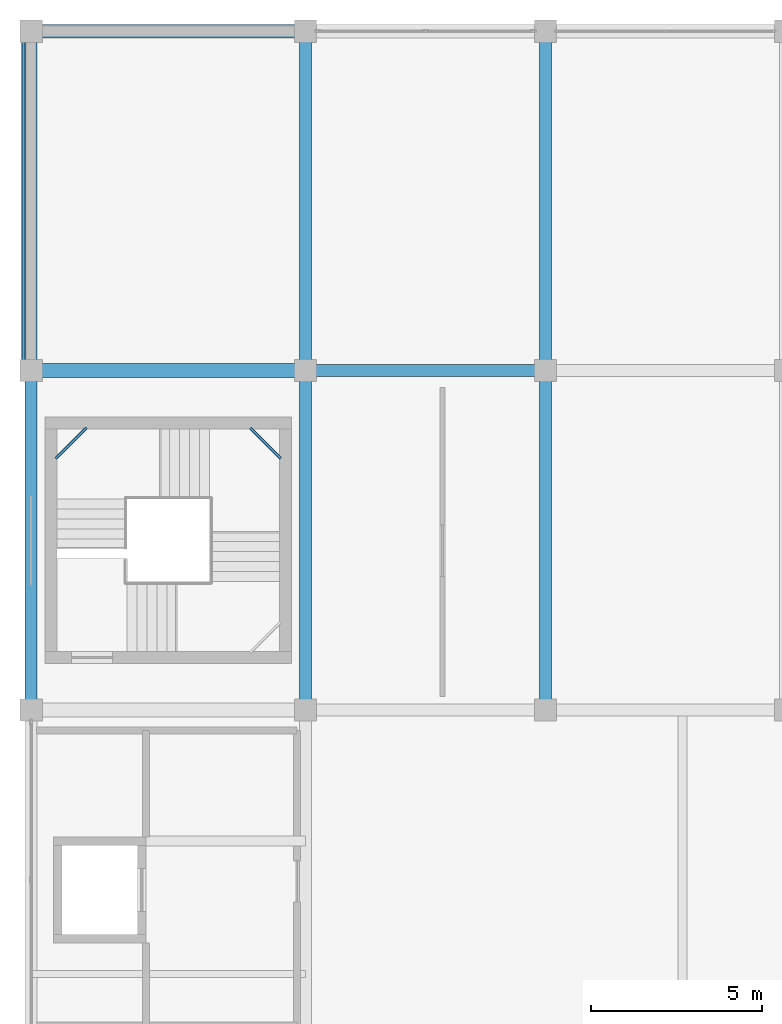
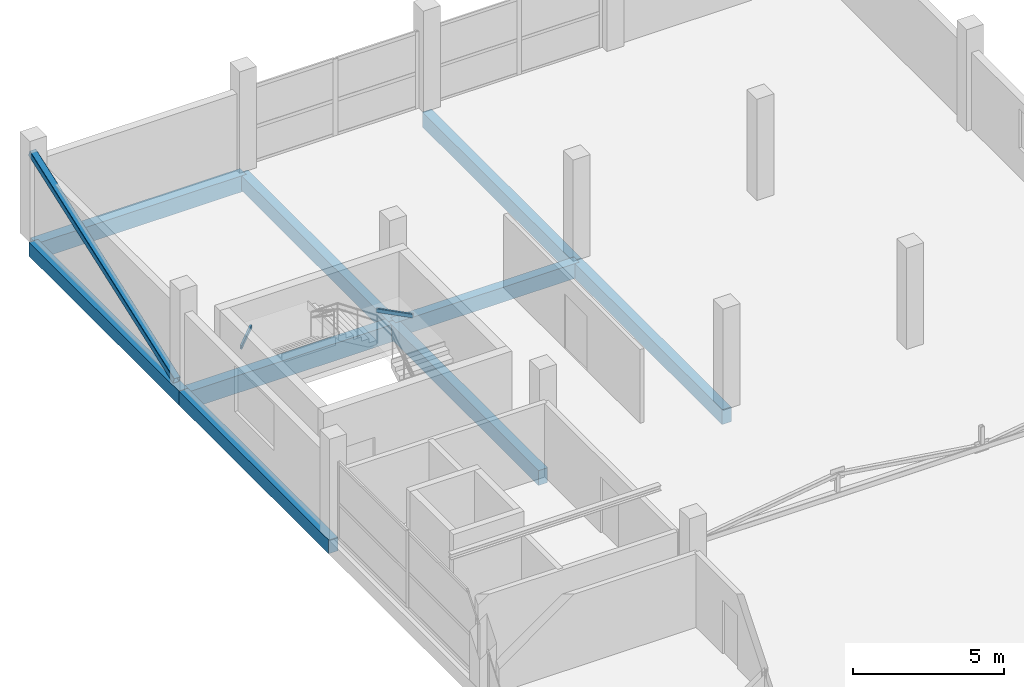
# One storey, part 43 of 66: 11 beams, 1 member.
"""IFC4 building model written with IfcOpenShell, lengths in metres."""

from ifc_helpers import new_model, si_unit, direction, frame, origin, origin_2d, place, context, subcontext, project, spatial, rectangle, hollow_rectangle, extrude, material, material_profile, profile_set, type_object, element, save


model = new_model("IFC4")

# Units and contexts
model_context = context("Model", 3, precision=1e-05, world=origin(), true_north=direction((0.0, 1.0)))
body_context = subcontext(model_context, "Body", "Model", "MODEL_VIEW")
ifc_project = project(units=[si_unit("LENGTHUNIT", "METRE"), si_unit("AREAUNIT", "SQUARE_METRE"), si_unit("VOLUMEUNIT", "CUBIC_METRE"), si_unit("PLANEANGLEUNIT", "RADIAN"), si_unit("MASSUNIT", "GRAM", prefix="KILO")], contexts=[model_context])

# Site, building, storey
site_placement = place(None, origin())
site = spatial("IfcSite", under=ifc_project, at=site_placement, CompositionType="ELEMENT")
building_placement = place(site_placement, origin())
building = spatial("IfcBuilding", under=site, at=building_placement, Name="Sillaruma Civic Art Gallery", CompositionType="ELEMENT")
storey_placement = place(building_placement, frame((0.0, 0.0, 62.219970703125)))
storey = spatial("IfcBuildingStorey", under=building, at=storey_placement, Name="L12", CompositionType="ELEMENT", Elevation=62.219970703125)

# Beams
ifc_material_1 = material(Name="Concrete H35 (35 MPa)", Category="concrete")
ifc_material_profile_1 = material_profile(ifc_material_1, rectangle(XDim=0.35009765625, YDim=0.60009765625, at=origin_2d()), Name="RCB350x600")
ifc_profile_set_1 = profile_set([ifc_material_profile_1], Name="Concrete H35 (35 MPa)")
beam_type_1 = type_object("IfcBeamType", Name="BM-BEAM-RCB350x600", PredefinedType="BEAM", material=ifc_profile_set_1)
beam_1_placement = place(storey_placement, frame((70.0, 89.10009765625, -0.530029296875), z_axis=(1.0, 0.0, 0.0), x_axis=(0.0, 1.0, 0.0)))
element("IfcBeam", 1, at=beam_1_placement, inside=storey, type_object=beam_type_1, Name="Beam BM-06 (L11:10:G-H)", PredefinedType="BEAM", context=body_context, shape_type="SweptSolid", body=[
    extrude(rectangle(XDim=0.35009765625, YDim=0.60009765625, at=origin_2d()), origin(), (0.0, 0.0, 1.0), 7.0),
])
beam_2_placement = place(storey_placement, frame((70.0, 79.199951171875, -0.530029296875), z_axis=(0.0, 1.0, 0.0), x_axis=(-1.0, 0.0, 0.0)))
element("IfcBeam", 2, at=beam_2_placement, inside=storey, type_object=beam_type_1, Name="Beam BM-06 (L11:G:9-10)", PredefinedType="BEAM", context=body_context, shape_type="SweptSolid", body=[
    extrude(rectangle(XDim=0.35009765625, YDim=0.60009765625, at=origin_2d()), origin(), (0.0, 0.0, 1.0), 9.900146484375),
])
beam_3_placement = place(storey_placement, frame((70.0, 89.10009765625, -0.530029296875), z_axis=(0.0, 1.0, 0.0), x_axis=(-1.0, 0.0, 0.0)))
element("IfcBeam", 3, at=beam_3_placement, inside=storey, type_object=beam_type_1, Name="Beam BM-06 (L11:G:10-11)", PredefinedType="BEAM", context=body_context, shape_type="SweptSolid", body=[
    extrude(rectangle(XDim=0.35009765625, YDim=0.60009765625, at=origin_2d()), origin(), (0.0, 0.0, 1.0), 9.89990234375),
])
beam_4_placement = place(storey_placement, frame((77.0, 79.199951171875, -0.530029296875), z_axis=(0.0, 1.0, 0.0), x_axis=(-1.0, 0.0, 0.0)))
element("IfcBeam", 4, at=beam_4_placement, inside=storey, type_object=beam_type_1, Name="Beam BM-06 (L11:H:9-10)", PredefinedType="BEAM", context=body_context, shape_type="SweptSolid", body=[
    extrude(rectangle(XDim=0.35009765625, YDim=0.60009765625, at=origin_2d()), origin(), (0.0, 0.0, 1.0), 9.900146484375),
])
beam_5_placement = place(storey_placement, frame((77.0, 89.10009765625, -0.530029296875), z_axis=(0.0, 1.0, 0.0), x_axis=(-1.0, 0.0, 0.0)))
element("IfcBeam", 5, at=beam_5_placement, inside=storey, type_object=beam_type_1, Name="Beam BM-06 (L11:H:10-11)", PredefinedType="BEAM", context=body_context, shape_type="SweptSolid", body=[
    extrude(rectangle(XDim=0.35009765625, YDim=0.60009765625, at=origin_2d()), origin(), (0.0, 0.0, 1.0), 9.89990234375),
])
ifc_material_profile_2 = material_profile(ifc_material_1, rectangle(XDim=0.39990234375, YDim=0.699951171875, at=origin_2d()), Name="RCB400x700")
ifc_profile_set_2 = profile_set([ifc_material_profile_2], Name="Concrete H35 (35 MPa)")
beam_type_2 = type_object("IfcBeamType", Name="BM-BEAM-RCB400x700", PredefinedType="BEAM", material=ifc_profile_set_2)
beam_6_placement = place(storey_placement, frame((62.0, 89.10009765625, -0.580078125), z_axis=(1.0, 0.0, 0.0), x_axis=(0.0, 1.0, 0.0)))
element("IfcBeam", 6, at=beam_6_placement, inside=storey, type_object=beam_type_2, Name="Beam BM-04 (L11:10:F-G)", PredefinedType="BEAM", context=body_context, shape_type="SweptSolid", body=[
    extrude(rectangle(XDim=0.39990234375, YDim=0.699951171875, at=origin_2d()), origin(), (0.0, 0.0, 1.0), 8.0),
])
ifc_material_2 = material(Name="Structural Steel ASTM A500 Gr.C", Category="steel")
ifc_material_profile_3 = material_profile(ifc_material_2, hollow_rectangle(XDim=0.080078125, YDim=0.159912109375, WallThickness=0.008056640625, InnerFilletRadius=0.008056640625, OuterFilletRadius=0.01611328125, at=origin_2d()), Name="HSS160x80x8")
ifc_profile_set_3 = profile_set([ifc_material_profile_3], Name="Structural Steel ASTM A500 Gr.C")
beam_type_3 = type_object("IfcBeamType", Name="BM-LND-HSS160", PredefinedType="BEAM", material=ifc_profile_set_3)
for number, where, z_axis, x_axis, name in (
    (7, (68.389892578125, 87.429931640625, 1.760009765625), (0.707203758046, -0.707009791025, 0.0), (0.707009791025, 0.707203758046, 0.0), "Stair Corner Landing Trimmer Beam (ST-02-L12-2)"),
    (8, (62.719970703125, 86.5400390625, 2.780029296875), (0.707203758046, 0.707009791025, 0.0), (-0.707009791025, 0.707203758046, 0.0), "Stair Corner Landing Trimmer Beam (ST-02-L12-3)"),
):
    element("IfcBeam", number, at=place(storey_placement, frame(where, z_axis=z_axis, x_axis=x_axis)), inside=storey, type_object=beam_type_3, Name=name, PredefinedType="BEAM", context=body_context, shape_type="SweptSolid", body=[
        extrude(hollow_rectangle(XDim=0.080078125, YDim=0.159912109375, WallThickness=0.008056640625, InnerFilletRadius=0.008056640625, OuterFilletRadius=0.01611328125, at=origin_2d()), origin(), (0.0, 0.0, 1.0), 1.2587890625),
    ])
ifc_material_profile_4 = material_profile(ifc_material_1, rectangle(XDim=0.35009765625, YDim=0.550048828125, at=origin_2d()), Name="RCB350x550")
ifc_profile_set_4 = profile_set([ifc_material_profile_4], Name="Concrete H35 (35 MPa)")
beam_type_4 = type_object("IfcBeamType", Name="BM-SPANDREL-RCB350x550", PredefinedType="SPANDREL", material=ifc_profile_set_4)
beam_7_placement = place(storey_placement, frame((62.0, 79.199951171875, -0.5048828125), z_axis=(0.0, 1.0, 0.0), x_axis=(-1.0, 0.0, 0.0)))
element("IfcBeam", 9, at=beam_7_placement, inside=storey, type_object=beam_type_4, Name="Beam BS-04 (L11:F:9-10)", PredefinedType="SPANDREL", context=body_context, shape_type="SweptSolid", body=[
    extrude(rectangle(XDim=0.35009765625, YDim=0.550048828125, at=origin_2d()), origin(), (0.0, 0.0, 1.0), 9.900146484375),
])
beam_8_placement = place(storey_placement, frame((62.0, 89.10009765625, -0.5048828125), z_axis=(0.0, 1.0, 0.0), x_axis=(-1.0, 0.0, 0.0)))
element("IfcBeam", 10, at=beam_8_placement, inside=storey, type_object=beam_type_4, Name="Beam BS-04 (L11:F:10-11)", PredefinedType="SPANDREL", context=body_context, shape_type="SweptSolid", body=[
    extrude(rectangle(XDim=0.35009765625, YDim=0.550048828125, at=origin_2d()), origin(), (0.0, 0.0, 1.0), 9.89990234375),
])
ifc_material_profile_5 = material_profile(ifc_material_1, rectangle(XDim=0.39990234375, YDim=0.64990234375, at=origin_2d()), Name="RCB400x650")
ifc_profile_set_5 = profile_set([ifc_material_profile_5], Name="Concrete H35 (35 MPa)")
beam_type_5 = type_object("IfcBeamType", Name="BM-SPANDREL-RCB400x650", PredefinedType="SPANDREL", material=ifc_profile_set_5)
beam_9_placement = place(storey_placement, frame((62.0, 99.0, -0.554931640625), z_axis=(1.0, 0.0, 0.0), x_axis=(0.0, 1.0, 0.0)))
element("IfcBeam", 11, at=beam_9_placement, inside=storey, type_object=beam_type_5, Name="Beam BS-02 (L11:11:F-G)", PredefinedType="SPANDREL", context=body_context, shape_type="SweptSolid", body=[
    extrude(rectangle(XDim=0.39990234375, YDim=0.64990234375, at=origin_2d()), origin(), (0.0, 0.0, 1.0), 8.0),
])

# Member
ifc_material_profile_6 = material_profile(ifc_material_2, hollow_rectangle(XDim=0.25, YDim=0.25, WallThickness=0.012451171875, InnerFilletRadius=0.012451171875, OuterFilletRadius=0.02490234375, at=origin_2d()), Name="HSS250x250x12.5")
ifc_profile_set_6 = profile_set([ifc_material_profile_6], Name="Structural Steel ASTM A500 Gr.C")
member_type = type_object("IfcMemberType", Name="MEM-MEGA-BRACE", PredefinedType="BRACE", material=ifc_profile_set_6)
member_placement = place(storey_placement, frame((61.85009765625, 89.280029296875, 0.10009765625), z_axis=(0.0, 0.941968577938, 0.335701054775), x_axis=(-1.0, 0.0, 0.0)))
element("IfcMember", 12, at=member_placement, inside=storey, type_object=member_type, Name="Exterior Expressed Gallery Seismic Diagonal Brace (L12-WN)", PredefinedType="BRACE", context=body_context, shape_type="SweptSolid", body=[
    extrude(hollow_rectangle(XDim=0.25, YDim=0.25, WallThickness=0.012451171875, InnerFilletRadius=0.012451171875, OuterFilletRadius=0.02490234375, at=origin_2d()), origin(), (0.0, 0.0, 1.0), 10.127685546875),
])

save(model, "model.ifc")
